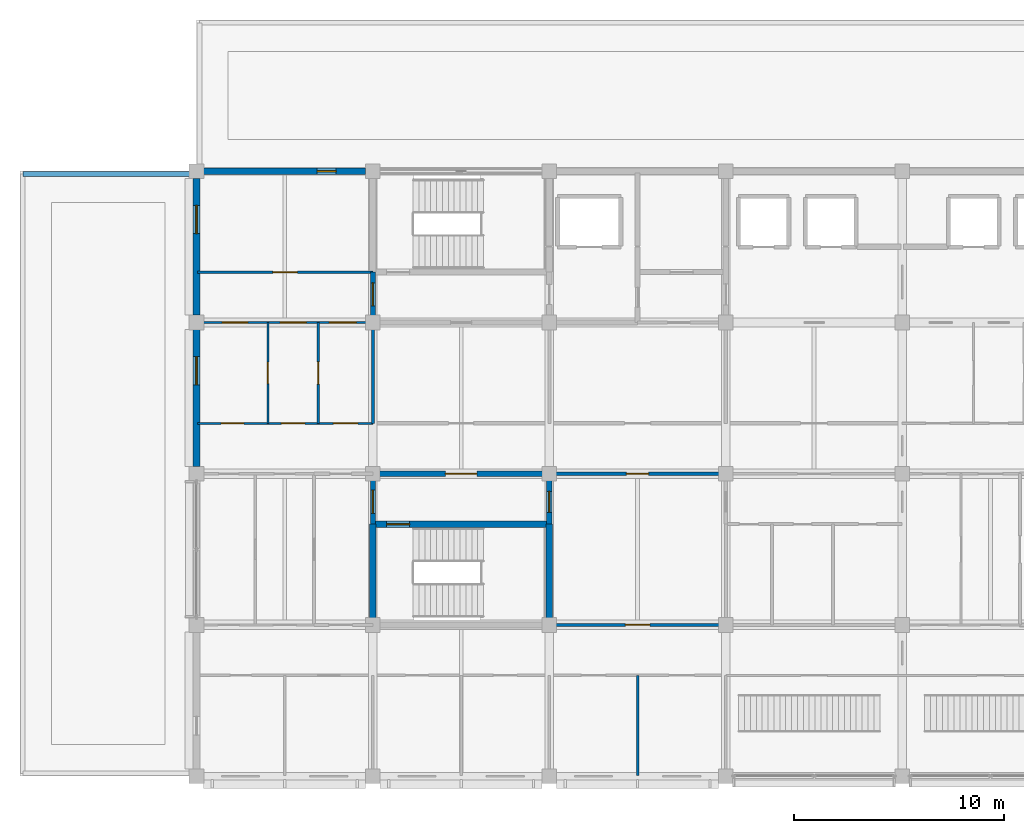
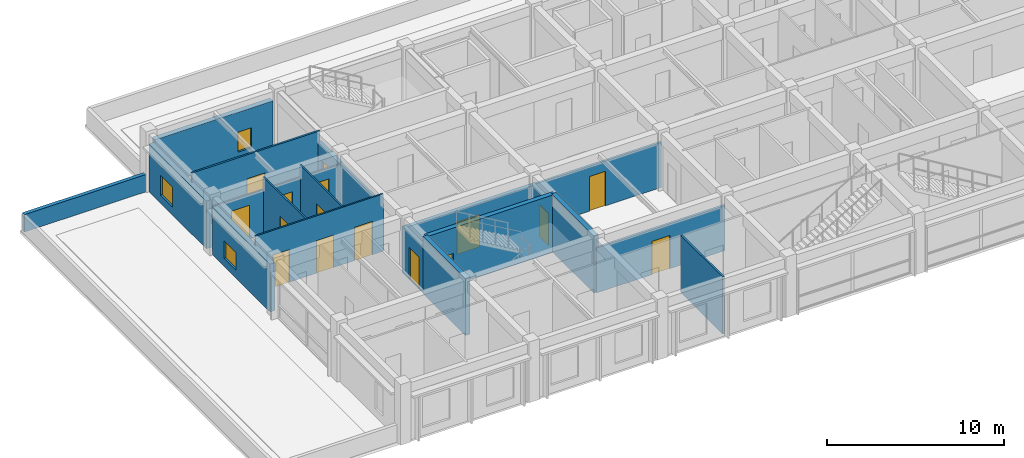
# One storey, part 10 of 19: 20 walls, 16 doors, 3 windows, 19 openings.
"""IFC4 building model written with IfcOpenShell, lengths in metres."""

from ifc_helpers import new_model, si_unit, direction, frame, frame_2d, origin, place, context, subcontext, project, spatial, rectangle, extrude, material, layer, layer_set, type_object, element, fill, save


model = new_model("IFC4")

# Units and contexts
model_context = context("Model", 3, precision=1e-05, world=origin(), true_north=direction((0.0, 1.0)))
body_context = subcontext(model_context, "Body", "Model", "MODEL_VIEW")
ifc_project = project(units=[si_unit("LENGTHUNIT", "METRE"), si_unit("AREAUNIT", "SQUARE_METRE"), si_unit("VOLUMEUNIT", "CUBIC_METRE"), si_unit("PLANEANGLEUNIT", "RADIAN"), si_unit("MASSUNIT", "GRAM", prefix="KILO")], contexts=[model_context])

# Site, building, storey
site_placement = place(None, origin())
site = spatial("IfcSite", under=ifc_project, at=site_placement, CompositionType="ELEMENT")
building_placement = place(site_placement, origin())
building = spatial("IfcBuilding", under=site, at=building_placement, Name="Chengyuan Square Courthouse", CompositionType="ELEMENT")
storey_placement = place(building_placement, frame((0.0, 0.0, 47.699951171875)))
storey = spatial("IfcBuildingStorey", under=building, at=storey_placement, Name="L11", CompositionType="ELEMENT", Elevation=47.699951171875)

# Wall, opening, window
ifc_material_1 = material(Name="Concrete C40", Category="concrete")
ifc_layer_1 = layer(ifc_material_1, 0.320068359375)
ifc_layer_set_1 = layer_set([ifc_layer_1], Name="Concrete C40")
wall_type_1 = type_object("IfcWallType", Name="WL-EW3", PredefinedType="STANDARD", material=ifc_layer_set_1)
wall_1_placement = place(storey_placement, frame((50.39990234375, 93.945068359375, 0.0), z_axis=(0.0, 0.0, 1.0), x_axis=(0.0, 1.0, 0.0)))
wall_1 = element("IfcWall", 1, at=wall_1_placement, inside=storey, type_object=wall_type_1, Name="Exterior Wall WL-L11-E448", PredefinedType="STANDARD", context=body_context, shape_type="SweptSolid", body=[
    extrude(rectangle(XDim=6.510009765625, YDim=0.320068359375, at=frame_2d((3.2548828125, 0.0))), origin(), (0.0, 0.0, 1.0), 3.31005859375),
])
opening_1_placement = place(wall_1_placement, frame((3.8798828125, 0.0, 0.550048828125)))
opening_1 = element("IfcOpeningElement", 2, at=opening_1_placement, cuts=wall_1, Name="Opening WN-181", PredefinedType="OPENING", context=body_context, shape_type="SweptSolid", body=[
    extrude(rectangle(XDim=1.35009765625, YDim=1.199951171875, at=frame_2d((0.675048828125, 0.60009765625))), frame((0.0, 0.172119140625, 0.0), z_axis=(0.0, -1.0, 0.0), x_axis=(1.0, 0.0, 0.0)), (0.0, 0.0, 1.0), 0.343994140625),
])
ifc_material_2 = material(Name="Thermally Broken Aluminium Triple Low-E Window", Category="aluminium")
window_type_1 = type_object("IfcWindowType", Name="WT-19", PartitioningType="SINGLE_PANEL", PredefinedType="WINDOW", material=ifc_material_2)
window_1_placement = place(opening_1_placement, origin())
window_1 = element("IfcWindow", 3, at=window_1_placement, inside=storey, type_object=window_type_1, Name="Facade Window WN-181", OverallHeight=1.199951171875, OverallWidth=1.35009765625, PartitioningType="SINGLE_PANEL", PredefinedType="WINDOW", context=body_context, shape_type="SweptSolid", body=[
    extrude(rectangle(XDim=1.35009765625, YDim=1.199951171875, at=frame_2d((0.675048828125, 0.60009765625))), frame((0.0, 0.030029296875, 0.0), z_axis=(0.0, -1.0, 0.0), x_axis=(1.0, 0.0, 0.0)), (0.0, 0.0, 1.0), 0.06005859375),
])
fill(opening_1, window_1)

wall_2_placement = place(storey_placement, frame((50.7451171875, 108.0, 0.0), z_axis=(0.0, 0.0, 1.0), x_axis=(1.0, 0.0, 0.0)))
wall_2 = element("IfcWall", 4, at=wall_2_placement, inside=storey, type_object=wall_type_1, Name="Exterior Wall WL-L11-E449", PredefinedType="STANDARD", context=body_context, shape_type="SweptSolid", body=[
    extrude(rectangle(XDim=7.7099609375, YDim=0.320068359375, at=frame_2d((3.85498046875, 0.0))), origin(), (0.0, 0.0, 1.0), 3.31005859375),
])
opening_2_placement = place(wall_2_placement, frame((5.405029296875, 0.0, 0.550048828125)))
opening_2 = element("IfcOpeningElement", 5, at=opening_2_placement, cuts=wall_2, Name="Opening WN-182", PredefinedType="OPENING", context=body_context, shape_type="SweptSolid", body=[
    extrude(rectangle(XDim=0.89990234375, YDim=1.3798828125, at=frame_2d((0.449951171875, 0.68994140625))), frame((0.0, 0.172119140625, 0.0), z_axis=(0.0, -1.0, 0.0), x_axis=(1.0, 0.0, 0.0)), (0.0, 0.0, 1.0), 0.343994140625),
])
window_type_2 = type_object("IfcWindowType", Name="WT-02", PartitioningType="SINGLE_PANEL", PredefinedType="WINDOW", material=ifc_material_2)
window_2_placement = place(opening_2_placement, origin())
window_2 = element("IfcWindow", 6, at=window_2_placement, inside=storey, type_object=window_type_2, Name="Facade Window WN-182", OverallHeight=1.3798828125, OverallWidth=0.89990234375, PartitioningType="SINGLE_PANEL", PredefinedType="WINDOW", context=body_context, shape_type="SweptSolid", body=[
    extrude(rectangle(XDim=0.89990234375, YDim=1.3798828125, at=frame_2d((0.449951171875, 0.68994140625))), frame((0.0, 0.030029296875, 0.0), z_axis=(0.0, -1.0, 0.0), x_axis=(1.0, 0.0, 0.0)), (0.0, 0.0, 1.0), 0.06005859375),
])
fill(opening_2, window_2)

wall_3_placement = place(storey_placement, frame((50.39990234375, 101.14501953125, 0.0), z_axis=(0.0, 0.0, 1.0), x_axis=(0.0, 1.0, 0.0)))
wall_3 = element("IfcWall", 7, at=wall_3_placement, inside=storey, type_object=wall_type_1, Name="Exterior Wall WL-L11-E450", PredefinedType="STANDARD", context=body_context, shape_type="SweptSolid", body=[
    extrude(rectangle(XDim=6.510009765625, YDim=0.320068359375, at=frame_2d((3.2548828125, 0.0))), origin(), (0.0, 0.0, 1.0), 3.31005859375),
])
opening_3_placement = place(wall_3_placement, frame((3.8798828125, 0.0, 0.550048828125)))
opening_3 = element("IfcOpeningElement", 8, at=opening_3_placement, cuts=wall_3, Name="Opening WN-183", PredefinedType="OPENING", context=body_context, shape_type="SweptSolid", body=[
    extrude(rectangle(XDim=1.35009765625, YDim=1.3798828125, at=frame_2d((0.675048828125, 0.68994140625))), frame((0.0, 0.172119140625, 0.0), z_axis=(0.0, -1.0, 0.0), x_axis=(1.0, 0.0, 0.0)), (0.0, 0.0, 1.0), 0.343994140625),
])
window_type_3 = type_object("IfcWindowType", Name="WT-20", PartitioningType="SINGLE_PANEL", PredefinedType="WINDOW", material=ifc_material_2)
window_3_placement = place(opening_3_placement, origin())
window_3 = element("IfcWindow", 9, at=window_3_placement, inside=storey, type_object=window_type_3, Name="Facade Window WN-183", OverallHeight=1.3798828125, OverallWidth=1.35009765625, PartitioningType="SINGLE_PANEL", PredefinedType="WINDOW", context=body_context, shape_type="SweptSolid", body=[
    extrude(rectangle(XDim=1.35009765625, YDim=1.3798828125, at=frame_2d((0.675048828125, 0.68994140625))), frame((0.0, 0.030029296875, 0.0), z_axis=(0.0, -1.0, 0.0), x_axis=(1.0, 0.0, 0.0)), (0.0, 0.0, 1.0), 0.06005859375),
])
fill(opening_3, window_3)

# Wall, opening, door
ifc_layer_2 = layer(ifc_material_1, 0.25)
ifc_layer_set_2 = layer_set([ifc_layer_2], Name="Concrete C40")
wall_type_2 = type_object("IfcWallType", Name="WL-FW1", PredefinedType="STANDARD", material=ifc_layer_set_2)
wall_4_placement = place(storey_placement, frame((58.800048828125, 93.60009765625, 0.0), z_axis=(0.0, 0.0, 1.0), x_axis=(1.0, 0.0, 0.0)))
wall_4 = element("IfcWall", 10, at=wall_4_placement, inside=storey, type_object=wall_type_2, Name="Interior Wall WL-L11-I3524", PredefinedType="STANDARD", context=body_context, shape_type="SweptSolid", body=[
    extrude(rectangle(XDim=8.39990234375, YDim=0.25, at=frame_2d((4.199951171875, 0.0))), origin(), (0.0, 0.0, 1.0), 3.110107421875),
])
opening_4_placement = place(wall_4_placement, frame((3.449951171875, 0.0, 0.0)))
opening_4 = element("IfcOpeningElement", 11, at=opening_4_placement, cuts=wall_4, Name="Opening DR-2919", PredefinedType="OPENING", context=body_context, shape_type="SweptSolid", body=[
    extrude(rectangle(XDim=1.5, YDim=2.25, at=frame_2d((0.75, 1.125))), frame((0.0, 0.136962890625, 0.0), z_axis=(0.0, -1.0, 0.0), x_axis=(1.0, 0.0, 0.0)), (0.0, 0.0, 1.0), 0.27392578125),
])
ifc_material_3 = material(Name="Steel Q235B Glazed Fire Door", Category="steel")
door_type_1 = type_object("IfcDoorType", Name="DT-19", OperationType="DOUBLE_DOOR_SINGLE_SWING", PredefinedType="DOOR", material=ifc_material_3)
door_1_placement = place(opening_4_placement, frame((1.5, 0.0, 0.0), z_axis=(0.0, 0.0, 1.0), x_axis=(-1.0, 0.0, 0.0)))
door_1 = element("IfcDoor", 12, at=door_1_placement, inside=storey, type_object=door_type_1, Name="Interior Door DR-2919", OperationType="DOUBLE_DOOR_SINGLE_SWING", OverallHeight=2.25, OverallWidth=1.5, PredefinedType="DOOR", context=body_context, shape_type="SweptSolid", body=[
    extrude(rectangle(XDim=1.5, YDim=2.25, at=frame_2d((0.75, 1.125))), frame((0.0, 0.02490234375, 0.0), z_axis=(0.0, -1.0, 0.0), x_axis=(1.0, 0.0, 0.0)), (0.0, 0.0, 1.0), 0.050048828125),
])
fill(opening_4, door_1)

wall_5_placement = place(storey_placement, frame((58.800048828125, 91.199951171875, 0.0), z_axis=(0.0, 0.0, 1.0), x_axis=(0.0, 1.0, 0.0)))
wall_5 = element("IfcWall", 13, at=wall_5_placement, inside=storey, type_object=wall_type_2, Name="Interior Wall WL-L11-I3570", PredefinedType="STANDARD", context=body_context, shape_type="SweptSolid", body=[
    extrude(rectangle(XDim=2.400146484375, YDim=0.25, at=frame_2d((1.2001953125, 0.0))), origin(), (0.0, 0.0, 1.0), 3.2099609375),
])
opening_5_placement = place(wall_5_placement, frame((0.514892578125, 0.0, 0.0)))
opening_5 = element("IfcOpeningElement", 14, at=opening_5_placement, cuts=wall_5, Name="Opening DR-2920", PredefinedType="OPENING", context=body_context, shape_type="SweptSolid", body=[
    extrude(rectangle(XDim=1.10009765625, YDim=2.199951171875, at=frame_2d((0.550048828125, 1.10009765625))), frame((0.0, 0.136962890625, 0.0), z_axis=(0.0, -1.0, 0.0), x_axis=(1.0, 0.0, 0.0)), (0.0, 0.0, 1.0), 0.27392578125),
])
ifc_material_4 = material(Name="Steel Q235B Fire Door", Category="steel")
door_type_2 = type_object("IfcDoorType", Name="DT-10", OperationType="NOTDEFINED", PredefinedType="DOOR", material=ifc_material_4)
door_2_placement = place(opening_5_placement, origin())
door_2 = element("IfcDoor", 15, at=door_2_placement, inside=storey, type_object=door_type_2, Name="Interior Door DR-2920", OperationType="SINGLE_SWING_RIGHT", OverallHeight=2.199951171875, OverallWidth=1.10009765625, PredefinedType="DOOR", context=body_context, shape_type="SweptSolid", body=[
    extrude(rectangle(XDim=1.10009765625, YDim=2.199951171875, at=frame_2d((0.550048828125, 1.10009765625))), frame((0.0, 0.02490234375, 0.0), z_axis=(0.0, -1.0, 0.0), x_axis=(1.0, 0.0, 0.0)), (0.0, 0.0, 1.0), 0.050048828125),
])
fill(opening_5, door_2)

wall_6_placement = place(storey_placement, frame((58.800048828125, 100.800048828125, 0.0), z_axis=(0.0, 0.0, 1.0), x_axis=(0.0, 1.0, 0.0)))
wall_6 = element("IfcWall", 16, at=wall_6_placement, inside=storey, type_object=wall_type_2, Name="Interior Wall WL-L11-I3572", PredefinedType="STANDARD", context=body_context, shape_type="SweptSolid", body=[
    extrude(rectangle(XDim=2.39990234375, YDim=0.25, at=frame_2d((1.199951171875, 0.0))), origin(), (0.0, 0.0, 1.0), 3.2099609375),
])
opening_6_placement = place(wall_6_placement, frame((0.784912109375, 0.0, 0.0)))
opening_6 = element("IfcOpeningElement", 17, at=opening_6_placement, cuts=wall_6, Name="Opening DR-2914", PredefinedType="OPENING", context=body_context, shape_type="SweptSolid", body=[
    extrude(rectangle(XDim=1.10009765625, YDim=2.199951171875, at=frame_2d((0.550048828125, 1.10009765625))), frame((0.0, 0.136962890625, 0.0), z_axis=(0.0, -1.0, 0.0), x_axis=(1.0, 0.0, 0.0)), (0.0, 0.0, 1.0), 0.27392578125),
])
door_3_placement = place(opening_6_placement, origin())
door_3 = element("IfcDoor", 18, at=door_3_placement, inside=storey, type_object=door_type_2, Name="Interior Door DR-2914", OperationType="SINGLE_SWING_LEFT", OverallHeight=2.199951171875, OverallWidth=1.10009765625, PredefinedType="DOOR", context=body_context, shape_type="SweptSolid", body=[
    extrude(rectangle(XDim=1.10009765625, YDim=2.199951171875, at=frame_2d((0.550048828125, 1.10009765625))), frame((0.0, 0.02490234375, 0.0), z_axis=(0.0, -1.0, 0.0), x_axis=(1.0, 0.0, 0.0)), (0.0, 0.0, 1.0), 0.050048828125),
])
fill(opening_6, door_3)

wall_7_placement = place(storey_placement, frame((67.199951171875, 91.199951171875, 0.0), z_axis=(0.0, 0.0, 1.0), x_axis=(0.0, 1.0, 0.0)))
wall_7 = element("IfcWall", 19, at=wall_7_placement, inside=storey, type_object=wall_type_2, Name="Interior Wall WL-L11-I3577", PredefinedType="STANDARD", context=body_context, shape_type="SweptSolid", body=[
    extrude(rectangle(XDim=2.400146484375, YDim=0.25, at=frame_2d((1.2001953125, 0.0))), origin(), (0.0, 0.0, 1.0), 3.2099609375),
])
opening_7_placement = place(wall_7_placement, frame((0.56494140625, 0.0, 0.0)))
opening_7 = element("IfcOpeningElement", 20, at=opening_7_placement, cuts=wall_7, Name="Opening DR-2921", PredefinedType="OPENING", context=body_context, shape_type="SweptSolid", body=[
    extrude(rectangle(XDim=1.0, YDim=2.199951171875, at=frame_2d((0.5, 1.10009765625))), frame((0.0, 0.136962890625, 0.0), z_axis=(0.0, -1.0, 0.0), x_axis=(1.0, 0.0, 0.0)), (0.0, 0.0, 1.0), 0.27392578125),
])
door_type_3 = type_object("IfcDoorType", Name="DT-11", OperationType="NOTDEFINED", PredefinedType="DOOR", material=ifc_material_4)
door_4_placement = place(opening_7_placement, origin())
door_4 = element("IfcDoor", 21, at=door_4_placement, inside=storey, type_object=door_type_3, Name="Interior Door DR-2921", OperationType="SINGLE_SWING_LEFT", OverallHeight=2.199951171875, OverallWidth=1.0, PredefinedType="DOOR", context=body_context, shape_type="SweptSolid", body=[
    extrude(rectangle(XDim=1.0, YDim=2.199951171875, at=frame_2d((0.5, 1.10009765625))), frame((0.0, 0.02490234375, 0.0), z_axis=(0.0, -1.0, 0.0), x_axis=(1.0, 0.0, 0.0)), (0.0, 0.0, 1.0), 0.050048828125),
])
fill(opening_7, door_4)

# Wall
ifc_layer_3 = layer(ifc_material_1, 0.239990234375)
ifc_layer_set_3 = layer_set([ifc_layer_3], Name="Concrete C40")
wall_type_3 = type_object("IfcWallType", Name="WL-PR2", PredefinedType="PARAPET", material=ifc_layer_set_3)
wall_8_placement = place(storey_placement, frame((50.10009765625, 107.860107421875, 0.0), z_axis=(0.0, 0.0, 1.0), x_axis=(-1.0, 0.0, 0.0)))
element("IfcWall", 22, at=wall_8_placement, inside=storey, type_object=wall_type_3, Name="Roof Parapet Wall PAR-L11-032", PredefinedType="PARAPET", context=body_context, shape_type="SweptSolid", body=[
    extrude(rectangle(XDim=7.960205078125, YDim=0.239990234375, at=frame_2d((3.97998046875, 0.0))), origin(), (0.0, 0.0, 1.0), 1.199951171875),
])

# Wall, opening, door
ifc_material_5 = material(Name="Deliberation Room Sound-Insulated Partition")
ifc_layer_4 = layer(ifc_material_5, 0.14990234375)
ifc_layer_set_4 = layer_set([ifc_layer_4], Name="Deliberation Room Sound-Insulated Partition")
wall_type_4 = type_object("IfcWallType", Name="WL-PT3", PredefinedType="STANDARD", material=ifc_layer_set_4)
wall_9_placement = place(storey_placement, frame((67.199951171875, 86.39990234375, 0.0), z_axis=(0.0, 0.0, 1.0), x_axis=(1.0, 0.0, 0.0)))
wall_9 = element("IfcWall", 23, at=wall_9_placement, inside=storey, type_object=wall_type_4, Name="Interior Wall WL-L11-I3512", PredefinedType="STANDARD", context=body_context, shape_type="SweptSolid", body=[
    extrude(rectangle(XDim=8.400146484375, YDim=0.14990234375, at=frame_2d((4.2001953125, 0.0))), origin(), (0.0, 0.0, 1.0), 3.110107421875),
])
opening_8_placement = place(wall_9_placement, frame((3.6201171875, 0.0, 0.0)))
opening_8 = element("IfcOpeningElement", 24, at=opening_8_placement, cuts=wall_9, Name="Opening DR-2989", PredefinedType="OPENING", context=body_context, shape_type="SweptSolid", body=[
    extrude(rectangle(XDim=1.159912109375, YDim=2.300048828125, at=frame_2d((0.580078125, 1.14990234375))), frame((0.0, 0.0869140625, 0.0), z_axis=(0.0, -1.0, 0.0), x_axis=(1.0, 0.0, 0.0)), (0.0, 0.0, 1.0), 0.173828125),
])
ifc_material_6 = material(Name="Acoustic Solid-Core Timber Door", Category="wood")
door_type_4 = type_object("IfcDoorType", Name="DT-35", OperationType="NOTDEFINED", PredefinedType="DOOR", material=ifc_material_6)
door_5_placement = place(opening_8_placement, origin())
door_5 = element("IfcDoor", 25, at=door_5_placement, inside=storey, type_object=door_type_4, Name="Interior Door DR-2989", OperationType="SINGLE_SWING_RIGHT", OverallHeight=2.300048828125, OverallWidth=1.159912109375, PredefinedType="DOOR", context=body_context, shape_type="SweptSolid", body=[
    extrude(rectangle(XDim=1.159912109375, YDim=2.300048828125, at=frame_2d((0.580078125, 1.14990234375))), frame((0.0, 0.02490234375, 0.0), z_axis=(0.0, -1.0, 0.0), x_axis=(1.0, 0.0, 0.0)), (0.0, 0.0, 1.0), 0.050048828125),
])
fill(opening_8, door_5)

wall_10_placement = place(storey_placement, frame((67.199951171875, 93.60009765625, 0.0), z_axis=(0.0, 0.0, 1.0), x_axis=(1.0, 0.0, 0.0)))
wall_10 = element("IfcWall", 26, at=wall_10_placement, inside=storey, type_object=wall_type_4, Name="Interior Wall WL-L11-I3525", PredefinedType="STANDARD", context=body_context, shape_type="SweptSolid", body=[
    extrude(rectangle(XDim=8.400146484375, YDim=0.14990234375, at=frame_2d((4.2001953125, 0.0))), origin(), (0.0, 0.0, 1.0), 3.110107421875),
])
opening_9_placement = place(wall_10_placement, frame((3.669921875, 0.0, 0.0)))
opening_9 = element("IfcOpeningElement", 27, at=opening_9_placement, cuts=wall_10, Name="Opening DR-2962", PredefinedType="OPENING", context=body_context, shape_type="SweptSolid", body=[
    extrude(rectangle(XDim=1.06005859375, YDim=2.39990234375, at=frame_2d((0.530029296875, 1.199951171875))), frame((0.0, 0.0869140625, 0.0), z_axis=(0.0, -1.0, 0.0), x_axis=(1.0, 0.0, 0.0)), (0.0, 0.0, 1.0), 0.173828125),
])
door_type_5 = type_object("IfcDoorType", Name="DT-42", OperationType="NOTDEFINED", PredefinedType="DOOR", material=ifc_material_6)
door_6_placement = place(opening_9_placement, origin())
door_6 = element("IfcDoor", 28, at=door_6_placement, inside=storey, type_object=door_type_5, Name="Interior Door DR-2962", OperationType="SINGLE_SWING_LEFT", OverallHeight=2.39990234375, OverallWidth=1.06005859375, PredefinedType="DOOR", context=body_context, shape_type="SweptSolid", body=[
    extrude(rectangle(XDim=1.06005859375, YDim=2.39990234375, at=frame_2d((0.530029296875, 1.199951171875))), frame((0.0, 0.02490234375, 0.0), z_axis=(0.0, -1.0, 0.0), x_axis=(1.0, 0.0, 0.0)), (0.0, 0.0, 1.0), 0.050048828125),
])
fill(opening_9, door_6)

# Wall
wall_11_placement = place(storey_placement, frame((58.800048828125, 96.0, 0.0), z_axis=(0.0, 0.0, 1.0), x_axis=(0.0, 1.0, 0.0)))
element("IfcWall", 29, at=wall_11_placement, inside=storey, type_object=wall_type_4, Name="Interior Wall WL-L11-I3571", PredefinedType="STANDARD", context=body_context, shape_type="SweptSolid", body=[
    extrude(rectangle(XDim=4.800048828125, YDim=0.14990234375, at=frame_2d((2.39990234375, 0.0))), origin(), (0.0, 0.0, 1.0), 3.2099609375),
])

# Wall, opening, door
ifc_material_7 = material(Name="Judges Chambers Gypsum Stud Partition")
ifc_layer_5 = layer(ifc_material_7, 0.1201171875)
ifc_layer_set_5 = layer_set([ifc_layer_5], Name="Judges Chambers Gypsum Stud Partition")
wall_type_5 = type_object("IfcWallType", Name="WL-PT5", PredefinedType="STANDARD", material=ifc_layer_set_5)
wall_12_placement = place(storey_placement, frame((50.43994140625, 103.199951171875, 0.0), z_axis=(0.0, 0.0, 1.0), x_axis=(1.0, 0.0, 0.0)))
wall_12 = element("IfcWall", 30, at=wall_12_placement, inside=storey, type_object=wall_type_5, Name="Interior Wall WL-L11-I3543", PredefinedType="STANDARD", context=body_context, shape_type="SweptSolid", body=[
    extrude(rectangle(XDim=8.360107421875, YDim=0.1201171875, at=frame_2d((4.18017578125, 0.0))), origin(), (0.0, 0.0, 1.0), 3.9599609375),
])
opening_10_placement = place(wall_12_placement, frame((3.60009765625, 0.0, 0.0)))
opening_10 = element("IfcOpeningElement", 31, at=opening_10_placement, cuts=wall_12, Name="Opening DR-2938", PredefinedType="OPENING", context=body_context, shape_type="SweptSolid", body=[
    extrude(rectangle(XDim=1.159912109375, YDim=2.300048828125, at=frame_2d((0.580078125, 1.14990234375))), frame((0.0, 0.072021484375, 0.0), z_axis=(0.0, -1.0, 0.0), x_axis=(1.0, 0.0, 0.0)), (0.0, 0.0, 1.0), 0.14404296875),
])
door_7_placement = place(opening_10_placement, origin())
door_7 = element("IfcDoor", 32, at=door_7_placement, inside=storey, type_object=door_type_4, Name="Interior Door DR-2938", OperationType="SINGLE_SWING_RIGHT", OverallHeight=2.300048828125, OverallWidth=1.159912109375, PredefinedType="DOOR", context=body_context, shape_type="SweptSolid", body=[
    extrude(rectangle(XDim=1.159912109375, YDim=2.300048828125, at=frame_2d((0.580078125, 1.14990234375))), frame((0.0, 0.02490234375, 0.0), z_axis=(0.0, -1.0, 0.0), x_axis=(1.0, 0.0, 0.0)), (0.0, 0.0, 1.0), 0.050048828125),
])
fill(opening_10, door_7)

# Wall
wall_13_placement = place(storey_placement, frame((71.39990234375, 79.239990234375, 0.0), z_axis=(0.0, 0.0, 1.0), x_axis=(0.0, 1.0, 0.0)))
element("IfcWall", 33, at=wall_13_placement, inside=storey, type_object=wall_type_5, Name="Interior Wall WL-L11-I3584", PredefinedType="STANDARD", context=body_context, shape_type="SweptSolid", body=[
    extrude(rectangle(XDim=4.760009765625, YDim=0.1201171875, at=frame_2d((2.3798828125, 0.0))), origin(), (0.0, 0.0, 1.0), 3.9599609375),
])

# Wall, openings, doors
ifc_material_8 = material(Name="Gypsum Plasterboard Acoustic Stud Partition")
ifc_layer_6 = layer(ifc_material_8, 0.10009765625)
ifc_layer_set_6 = layer_set([ifc_layer_6], Name="Gypsum Plasterboard Acoustic Stud Partition")
wall_type_6 = type_object("IfcWallType", Name="WL-PT6", PredefinedType="STANDARD", material=ifc_layer_set_6)
wall_14_placement = place(storey_placement, frame((50.43994140625, 96.0, 0.0), z_axis=(0.0, 0.0, 1.0), x_axis=(1.0, 0.0, 0.0)))
wall_14 = element("IfcWall", 34, at=wall_14_placement, inside=storey, type_object=wall_type_6, Name="Interior Wall WL-L11-I3531", PredefinedType="STANDARD", context=body_context, shape_type="SweptSolid", body=[
    extrude(rectangle(XDim=8.360107421875, YDim=0.10009765625, at=frame_2d((4.18017578125, 0.0))), origin(), (0.0, 0.0, 1.0), 3.9599609375),
])
opening_11_placement = place(wall_14_placement, frame((1.139892578125, 0.0, 0.0)))
opening_11 = element("IfcOpeningElement", 35, at=opening_11_placement, cuts=wall_14, Name="Opening DR-2953", PredefinedType="OPENING", context=body_context, shape_type="SweptSolid", body=[
    extrude(rectangle(XDim=1.080078125, YDim=2.25, at=frame_2d((0.5400390625, 1.125))), frame((0.0, 0.06201171875, 0.0), z_axis=(0.0, -1.0, 0.0), x_axis=(1.0, 0.0, 0.0)), (0.0, 0.0, 1.0), 0.1240234375),
])
opening_12_placement = place(wall_14_placement, frame((4.0, 0.0, 0.0)))
opening_12 = element("IfcOpeningElement", 36, at=opening_12_placement, cuts=wall_14, Name="Opening DR-2954", PredefinedType="OPENING", context=body_context, shape_type="SweptSolid", body=[
    extrude(rectangle(XDim=1.1201171875, YDim=2.25, at=frame_2d((0.56005859375, 1.125))), frame((0.0, 0.06201171875, 0.0), z_axis=(0.0, -1.0, 0.0), x_axis=(1.0, 0.0, 0.0)), (0.0, 0.0, 1.0), 0.1240234375),
])
opening_13_placement = place(wall_14_placement, frame((6.47998046875, 0.0, 0.0)))
opening_13 = element("IfcOpeningElement", 37, at=opening_13_placement, cuts=wall_14, Name="Opening DR-2955", PredefinedType="OPENING", context=body_context, shape_type="SweptSolid", body=[
    extrude(rectangle(XDim=1.159912109375, YDim=2.300048828125, at=frame_2d((0.580078125, 1.14990234375))), frame((0.0, 0.06201171875, 0.0), z_axis=(0.0, -1.0, 0.0), x_axis=(1.0, 0.0, 0.0)), (0.0, 0.0, 1.0), 0.1240234375),
])
door_type_6 = type_object("IfcDoorType", Name="DT-33", OperationType="NOTDEFINED", PredefinedType="DOOR", material=ifc_material_6)
door_8_placement = place(opening_11_placement, origin())
door_8 = element("IfcDoor", 38, at=door_8_placement, inside=storey, type_object=door_type_6, Name="Interior Door DR-2953", OperationType="SINGLE_SWING_RIGHT", OverallHeight=2.25, OverallWidth=1.080078125, PredefinedType="DOOR", context=body_context, shape_type="SweptSolid", body=[
    extrude(rectangle(XDim=1.080078125, YDim=2.25, at=frame_2d((0.5400390625, 1.125))), frame((0.0, 0.02490234375, 0.0), z_axis=(0.0, -1.0, 0.0), x_axis=(1.0, 0.0, 0.0)), (0.0, 0.0, 1.0), 0.050048828125),
])
fill(opening_11, door_8)
door_type_7 = type_object("IfcDoorType", Name="DT-34", OperationType="NOTDEFINED", PredefinedType="DOOR", material=ifc_material_6)
door_9_placement = place(opening_12_placement, origin())
door_9 = element("IfcDoor", 39, at=door_9_placement, inside=storey, type_object=door_type_7, Name="Interior Door DR-2954", OperationType="SINGLE_SWING_LEFT", OverallHeight=2.25, OverallWidth=1.1201171875, PredefinedType="DOOR", context=body_context, shape_type="SweptSolid", body=[
    extrude(rectangle(XDim=1.1201171875, YDim=2.25, at=frame_2d((0.56005859375, 1.125))), frame((0.0, 0.02490234375, 0.0), z_axis=(0.0, -1.0, 0.0), x_axis=(1.0, 0.0, 0.0)), (0.0, 0.0, 1.0), 0.050048828125),
])
fill(opening_12, door_9)
door_10_placement = place(opening_13_placement, origin())
door_10 = element("IfcDoor", 40, at=door_10_placement, inside=storey, type_object=door_type_4, Name="Interior Door DR-2955", OperationType="SINGLE_SWING_RIGHT", OverallHeight=2.300048828125, OverallWidth=1.159912109375, PredefinedType="DOOR", context=body_context, shape_type="SweptSolid", body=[
    extrude(rectangle(XDim=1.159912109375, YDim=2.300048828125, at=frame_2d((0.580078125, 1.14990234375))), frame((0.0, 0.02490234375, 0.0), z_axis=(0.0, -1.0, 0.0), x_axis=(1.0, 0.0, 0.0)), (0.0, 0.0, 1.0), 0.050048828125),
])
fill(opening_13, door_10)

wall_15_placement = place(storey_placement, frame((50.43994140625, 100.800048828125, 0.0), z_axis=(0.0, 0.0, 1.0), x_axis=(1.0, 0.0, 0.0)))
wall_15 = element("IfcWall", 41, at=wall_15_placement, inside=storey, type_object=wall_type_6, Name="Interior Wall WL-L11-I3536", PredefinedType="STANDARD", context=body_context, shape_type="SweptSolid", body=[
    extrude(rectangle(XDim=8.360107421875, YDim=0.10009765625, at=frame_2d((4.18017578125, 0.0))), origin(), (0.0, 0.0, 1.0), 3.110107421875),
])
opening_14_placement = place(wall_15_placement, frame((1.195068359375, 0.0, 0.0)))
opening_14 = element("IfcOpeningElement", 42, at=opening_14_placement, cuts=wall_15, Name="Opening DR-2939", PredefinedType="OPENING", context=body_context, shape_type="SweptSolid", body=[
    extrude(rectangle(XDim=1.199951171875, YDim=2.35009765625, at=frame_2d((0.60009765625, 1.175048828125))), frame((0.0, 0.06201171875, 0.0), z_axis=(0.0, -1.0, 0.0), x_axis=(1.0, 0.0, 0.0)), (0.0, 0.0, 1.0), 0.1240234375),
])
opening_15_placement = place(wall_15_placement, frame((3.93994140625, 0.0, 0.0)))
opening_15 = element("IfcOpeningElement", 43, at=opening_15_placement, cuts=wall_15, Name="Opening DR-2940", PredefinedType="OPENING", context=body_context, shape_type="SweptSolid", body=[
    extrude(rectangle(XDim=1.239990234375, YDim=2.300048828125, at=frame_2d((0.6201171875, 1.14990234375))), frame((0.0, 0.06201171875, 0.0), z_axis=(0.0, -1.0, 0.0), x_axis=(1.0, 0.0, 0.0)), (0.0, 0.0, 1.0), 0.1240234375),
])
opening_16_placement = place(wall_15_placement, frame((6.284912109375, 0.0, 0.0)))
opening_16 = element("IfcOpeningElement", 44, at=opening_16_placement, cuts=wall_15, Name="Opening DR-2941", PredefinedType="OPENING", context=body_context, shape_type="SweptSolid", body=[
    extrude(rectangle(XDim=1.280029296875, YDim=2.35009765625, at=frame_2d((0.64013671875, 1.175048828125))), frame((0.0, 0.06201171875, 0.0), z_axis=(0.0, -1.0, 0.0), x_axis=(1.0, 0.0, 0.0)), (0.0, 0.0, 1.0), 0.1240234375),
])
door_type_8 = type_object("IfcDoorType", Name="DT-36", OperationType="NOTDEFINED", PredefinedType="DOOR", material=ifc_material_6)
door_11_placement = place(opening_14_placement, origin())
door_11 = element("IfcDoor", 45, at=door_11_placement, inside=storey, type_object=door_type_8, Name="Interior Door DR-2939", OperationType="SINGLE_SWING_LEFT", OverallHeight=2.35009765625, OverallWidth=1.199951171875, PredefinedType="DOOR", context=body_context, shape_type="SweptSolid", body=[
    extrude(rectangle(XDim=1.199951171875, YDim=2.35009765625, at=frame_2d((0.60009765625, 1.175048828125))), frame((0.0, 0.02490234375, 0.0), z_axis=(0.0, -1.0, 0.0), x_axis=(1.0, 0.0, 0.0)), (0.0, 0.0, 1.0), 0.050048828125),
])
fill(opening_14, door_11)
door_type_9 = type_object("IfcDoorType", Name="DT-37", OperationType="NOTDEFINED", PredefinedType="DOOR", material=ifc_material_6)
door_12_placement = place(opening_15_placement, origin())
door_12 = element("IfcDoor", 46, at=door_12_placement, inside=storey, type_object=door_type_9, Name="Interior Door DR-2940", OperationType="SINGLE_SWING_RIGHT", OverallHeight=2.300048828125, OverallWidth=1.239990234375, PredefinedType="DOOR", context=body_context, shape_type="SweptSolid", body=[
    extrude(rectangle(XDim=1.239990234375, YDim=2.300048828125, at=frame_2d((0.6201171875, 1.14990234375))), frame((0.0, 0.02490234375, 0.0), z_axis=(0.0, -1.0, 0.0), x_axis=(1.0, 0.0, 0.0)), (0.0, 0.0, 1.0), 0.050048828125),
])
fill(opening_15, door_12)
door_type_10 = type_object("IfcDoorType", Name="DT-38", OperationType="NOTDEFINED", PredefinedType="DOOR", material=ifc_material_6)
door_13_placement = place(opening_16_placement, origin())
door_13 = element("IfcDoor", 47, at=door_13_placement, inside=storey, type_object=door_type_10, Name="Interior Door DR-2941", OperationType="SINGLE_SWING_LEFT", OverallHeight=2.35009765625, OverallWidth=1.280029296875, PredefinedType="DOOR", context=body_context, shape_type="SweptSolid", body=[
    extrude(rectangle(XDim=1.280029296875, YDim=2.35009765625, at=frame_2d((0.64013671875, 1.175048828125))), frame((0.0, 0.02490234375, 0.0), z_axis=(0.0, -1.0, 0.0), x_axis=(1.0, 0.0, 0.0)), (0.0, 0.0, 1.0), 0.050048828125),
])
fill(opening_16, door_13)

# Wall, opening, door
wall_16_placement = place(storey_placement, frame((53.800048828125, 96.0, 0.0), z_axis=(0.0, 0.0, 1.0), x_axis=(0.0, 1.0, 0.0)))
wall_16 = element("IfcWall", 48, at=wall_16_placement, inside=storey, type_object=wall_type_6, Name="Interior Wall WL-L11-I3564", PredefinedType="STANDARD", context=body_context, shape_type="SweptSolid", body=[
    extrude(rectangle(XDim=4.800048828125, YDim=0.10009765625, at=frame_2d((2.39990234375, 0.0))), origin(), (0.0, 0.0, 1.0), 3.9599609375),
])
opening_17_placement = place(wall_16_placement, frame((1.889892578125, 0.0, 0.0)))
opening_17 = element("IfcOpeningElement", 49, at=opening_17_placement, cuts=wall_16, Name="Opening DR-2978", PredefinedType="OPENING", context=body_context, shape_type="SweptSolid", body=[
    extrude(rectangle(XDim=1.02001953125, YDim=2.39990234375, at=frame_2d((0.510009765625, 1.199951171875))), frame((0.0, 0.06201171875, 0.0), z_axis=(0.0, -1.0, 0.0), x_axis=(1.0, 0.0, 0.0)), (0.0, 0.0, 1.0), 0.1240234375),
])
door_type_11 = type_object("IfcDoorType", Name="DT-41", OperationType="NOTDEFINED", PredefinedType="DOOR", material=ifc_material_6)
door_14_placement = place(opening_17_placement, origin())
door_14 = element("IfcDoor", 50, at=door_14_placement, inside=storey, type_object=door_type_11, Name="Interior Door DR-2978", OperationType="SINGLE_SWING_LEFT", OverallHeight=2.39990234375, OverallWidth=1.02001953125, PredefinedType="DOOR", context=body_context, shape_type="SweptSolid", body=[
    extrude(rectangle(XDim=1.02001953125, YDim=2.39990234375, at=frame_2d((0.510009765625, 1.199951171875))), frame((0.0, 0.02490234375, 0.0), z_axis=(0.0, -1.0, 0.0), x_axis=(1.0, 0.0, 0.0)), (0.0, 0.0, 1.0), 0.050048828125),
])
fill(opening_17, door_14)

wall_17_placement = place(storey_placement, frame((56.199951171875, 96.0, 0.0), z_axis=(0.0, 0.0, 1.0), x_axis=(0.0, 1.0, 0.0)))
wall_17 = element("IfcWall", 51, at=wall_17_placement, inside=storey, type_object=wall_type_6, Name="Interior Wall WL-L11-I3567", PredefinedType="STANDARD", context=body_context, shape_type="SweptSolid", body=[
    extrude(rectangle(XDim=4.800048828125, YDim=0.10009765625, at=frame_2d((2.39990234375, 0.0))), origin(), (0.0, 0.0, 1.0), 3.9599609375),
])
opening_18_placement = place(wall_17_placement, frame((1.8701171875, 0.0, 0.0)))
opening_18 = element("IfcOpeningElement", 52, at=opening_18_placement, cuts=wall_17, Name="Opening DR-2979", PredefinedType="OPENING", context=body_context, shape_type="SweptSolid", body=[
    extrude(rectangle(XDim=1.06005859375, YDim=2.39990234375, at=frame_2d((0.530029296875, 1.199951171875))), frame((0.0, 0.06201171875, 0.0), z_axis=(0.0, -1.0, 0.0), x_axis=(1.0, 0.0, 0.0)), (0.0, 0.0, 1.0), 0.1240234375),
])
door_15_placement = place(opening_18_placement, origin())
door_15 = element("IfcDoor", 53, at=door_15_placement, inside=storey, type_object=door_type_5, Name="Interior Door DR-2979", OperationType="SINGLE_SWING_RIGHT", OverallHeight=2.39990234375, OverallWidth=1.06005859375, PredefinedType="DOOR", context=body_context, shape_type="SweptSolid", body=[
    extrude(rectangle(XDim=1.06005859375, YDim=2.39990234375, at=frame_2d((0.530029296875, 1.199951171875))), frame((0.0, 0.02490234375, 0.0), z_axis=(0.0, -1.0, 0.0), x_axis=(1.0, 0.0, 0.0)), (0.0, 0.0, 1.0), 0.050048828125),
])
fill(opening_18, door_15)

ifc_layer_7 = layer(ifc_material_1, 0.300048828125)
ifc_layer_set_7 = layer_set([ifc_layer_7], Name="Concrete C40")
wall_type_7 = type_object("IfcWallType", Name="WL-SW2", PredefinedType="SHEAR", material=ifc_layer_set_7)
wall_18_placement = place(storey_placement, frame((58.800048828125, 91.199951171875, 0.0), z_axis=(0.0, 0.0, 1.0), x_axis=(1.0, 0.0, 0.0)))
wall_18 = element("IfcWall", 54, at=wall_18_placement, inside=storey, type_object=wall_type_7, Name="Interior Wall WL-L11-I3519", PredefinedType="SHEAR", context=body_context, shape_type="SweptSolid", body=[
    extrude(rectangle(XDim=8.39990234375, YDim=0.300048828125, at=frame_2d((4.199951171875, 0.0))), origin(), (0.0, 0.0, 1.0), 3.9599609375),
])
opening_19_placement = place(wall_18_placement, frame((0.64990234375, 0.0, 0.0)))
opening_19 = element("IfcOpeningElement", 55, at=opening_19_placement, cuts=wall_18, Name="Opening DR-2911", PredefinedType="OPENING", context=body_context, shape_type="SweptSolid", body=[
    extrude(rectangle(XDim=1.10009765625, YDim=2.199951171875, at=frame_2d((0.550048828125, 1.10009765625))), frame((0.0, 0.162109375, 0.0), z_axis=(0.0, -1.0, 0.0), x_axis=(1.0, 0.0, 0.0)), (0.0, 0.0, 1.0), 0.323974609375),
])
door_16_placement = place(opening_19_placement, frame((1.10009765625, 0.0, 0.0), z_axis=(0.0, 0.0, 1.0), x_axis=(-1.0, 0.0, 0.0)))
door_16 = element("IfcDoor", 56, at=door_16_placement, inside=storey, type_object=door_type_2, Name="Smoke-Proof Stairwell Fire Door ST-3 DR-2911", OperationType="SINGLE_SWING_RIGHT", OverallHeight=2.199951171875, OverallWidth=1.10009765625, PredefinedType="DOOR", context=body_context, shape_type="SweptSolid", body=[
    extrude(rectangle(XDim=1.10009765625, YDim=2.199951171875, at=frame_2d((0.550048828125, 1.10009765625))), frame((0.0, 0.02490234375, 0.0), z_axis=(0.0, -1.0, 0.0), x_axis=(1.0, 0.0, 0.0)), (0.0, 0.0, 1.0), 0.050048828125),
])
fill(opening_19, door_16)

# Walls
for number, where, z_axis, x_axis, name in (
    (57, (58.800048828125, 86.39990234375, 0.0), (0.0, 0.0, 1.0), (0.0, 1.0, 0.0), "Interior Wall WL-L11-I3569"),
    (58, (67.199951171875, 86.39990234375, 0.0), (0.0, 0.0, 1.0), (0.0, 1.0, 0.0), "Interior Wall WL-L11-I3576"),
):
    element("IfcWall", number, at=place(storey_placement, frame(where, z_axis=z_axis, x_axis=x_axis)), inside=storey, type_object=wall_type_7, Name=name, PredefinedType="SHEAR", context=body_context, shape_type="SweptSolid", body=[
        extrude(rectangle(XDim=4.800048828125, YDim=0.300048828125, at=frame_2d((2.39990234375, 0.0))), origin(), (0.0, 0.0, 1.0), 3.9599609375),
    ])

save(model, "model.ifc")
